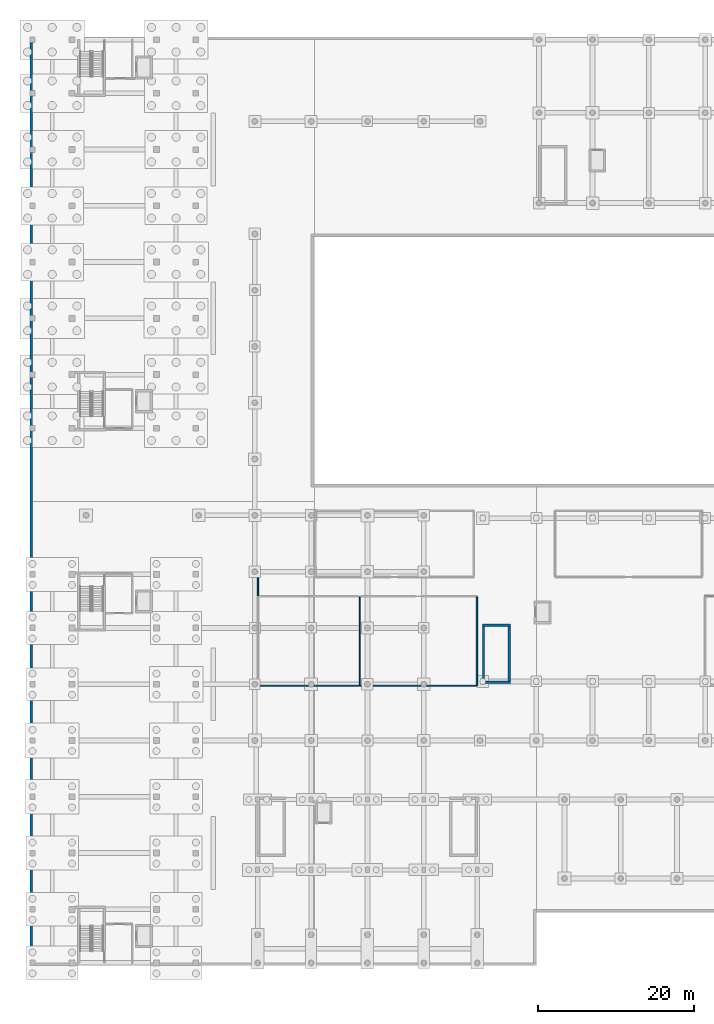
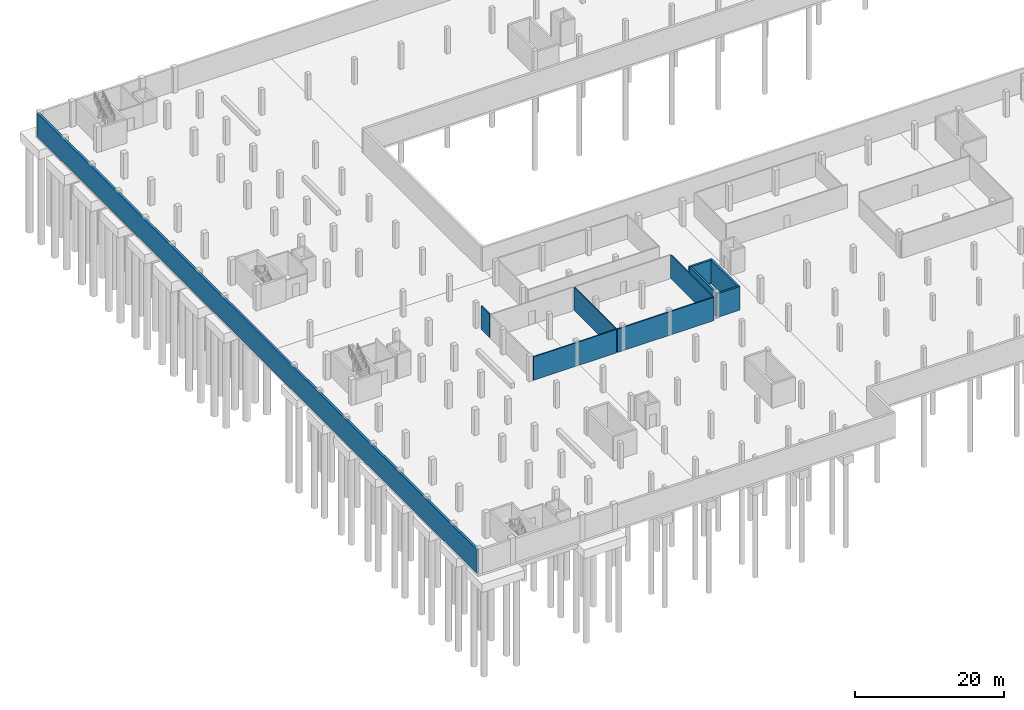
# One storey, part 18 of 36: 10 walls.
"""IFC4 building model written with IfcOpenShell, lengths in metres."""

from ifc_helpers import new_model, si_unit, derived_unit, direction, frame, frame_2d, origin, place, context, subcontext, project, spatial, rectangle, extrude, material, layer, layer_set, type_object, element, save


model = new_model("IFC4")

# Units and contexts
model_context = context("Model", 3, precision=1e-05, world=origin(), true_north=direction((0.0, 1.0)))
body_context = subcontext(model_context, "Body", "Model", "MODEL_VIEW")
ifc_project = project(units=[si_unit("LENGTHUNIT", "METRE"), si_unit("AREAUNIT", "SQUARE_METRE"), si_unit("VOLUMEUNIT", "CUBIC_METRE"), si_unit("PLANEANGLEUNIT", "RADIAN"), si_unit("MASSUNIT", "GRAM", prefix="KILO"), derived_unit("THERMALTRANSMITTANCEUNIT", [(si_unit("MASSUNIT", "GRAM", prefix="KILO"), 1), (si_unit("TIMEUNIT", "SECOND"), -3), (si_unit("THERMODYNAMICTEMPERATUREUNIT", "KELVIN"), -1)])], contexts=[model_context])

# Site, building, storey
site_placement = place(None, origin())
site = spatial("IfcSite", under=ifc_project, at=site_placement, CompositionType="ELEMENT")
building_placement = place(site_placement, origin())
building = spatial("IfcBuilding", under=site, at=building_placement, Name="Ochrekiln Boulevard Commons", CompositionType="ELEMENT")
storey_placement = place(building_placement, frame((0.0, 0.0, -4.199951171875)))
storey = spatial("IfcBuildingStorey", under=building, at=storey_placement, Name="B1", CompositionType="ELEMENT", Elevation=-4.199951171875)

# Walls
ifc_material_1 = material(Name="Concrete C35/45", Category="concrete")
ifc_layer_1 = layer(ifc_material_1, 0.35009765625)
ifc_layer_set_1 = layer_set([ifc_layer_1], Name="Concrete C35/45")
wall_type_1 = type_object("IfcWallType", Name="WL-B1-RET-350", PredefinedType="SOLIDWALL", material=ifc_layer_set_1)
wall_1_placement = place(storey_placement, frame((0.175048828125, 0.35009765625, 0.0), z_axis=(0.0, 0.0, 1.0), x_axis=(0.0, 1.0, 0.0)))
element("IfcWall", 1, at=wall_1_placement, inside=storey, type_object=wall_type_1, Name="B1 Perimeter Retaining Wall B1-W", PredefinedType="SOLIDWALL", context=body_context, shape_type="SweptSolid", body=[
    extrude(rectangle(XDim=118.099853515625, YDim=0.35009765625, at=frame_2d((59.0498046875, 0.0))), origin(), (0.0, 0.0, 1.0), 3.919921875),
])
ifc_material_2 = material(Name="Fire-rated Type X gypsum board on steel studs", Category="steel")
ifc_layer_2 = layer(ifc_material_2, 0.139892578125)
ifc_layer_set_2 = layer_set([ifc_layer_2], Name="Fire-rated Type X gypsum board on steel studs")
wall_type_2 = type_object("IfcWallType", Name="WL-PT-ACO-140", PredefinedType="PARTITIONING", material=ifc_layer_set_2)
wall_2_placement = place(storey_placement, frame((42.199951171875, 35.800048828125, 0.0), z_axis=(0.0, 0.0, 1.0), x_axis=(0.0, 1.0, 0.0)))
element("IfcWall", 2, at=wall_2_placement, inside=storey, type_object=wall_type_2, Name="B1 Interior Wall W-PA140", PredefinedType="PARTITIONING", context=body_context, shape_type="SweptSolid", body=[
    extrude(rectangle(XDim=11.366943359375, YDim=0.139892578125, at=frame_2d((5.68359375, 0.0))), origin(), (0.0, 0.0, 1.0), 3.83984375),
])
ifc_layer_3 = layer(ifc_material_2, 0.169921875)
ifc_layer_set_3 = layer_set([ifc_layer_3], Name="Fire-rated Type X gypsum board on steel studs")
wall_type_3 = type_object("IfcWallType", Name="WL-PT-CIV-170", PredefinedType="PARTITIONING", material=ifc_layer_set_3)
wall_3_placement = place(storey_placement, frame((29.199951171875, 47.3330078125, 0.0), z_axis=(0.0, 0.0, 1.0), x_axis=(0.0, 1.0, 0.0)))
element("IfcWall", 3, at=wall_3_placement, inside=storey, type_object=wall_type_3, Name="B1 Interior Wall W-PV170", PredefinedType="PARTITIONING", context=body_context, shape_type="SweptSolid", body=[
    extrude(rectangle(XDim=2.26708984375, YDim=0.169921875, at=frame_2d((1.133544921875, 0.0))), origin(), (0.0, 0.0, 1.0), 3.83984375),
])
wall_4_placement = place(storey_placement, frame((29.199951171875, 35.800048828125, 0.0), z_axis=(0.0, 0.0, 1.0), x_axis=(1.0, 0.0, 0.0)))
element("IfcWall", 4, at=wall_4_placement, inside=storey, type_object=wall_type_3, Name="B1 Interior Wall W-PV170", PredefinedType="PARTITIONING", context=body_context, shape_type="SweptSolid", body=[
    extrude(rectangle(XDim=12.929931640625, YDim=0.169921875, at=frame_2d((6.46484375, 0.0))), origin(), (0.0, 0.0, 1.0), 3.83984375),
])
wall_5_placement = place(storey_placement, frame((42.27001953125, 35.800048828125, 0.0), z_axis=(0.0, 0.0, 1.0), x_axis=(1.0, 0.0, 0.0)))
element("IfcWall", 5, at=wall_5_placement, inside=storey, type_object=wall_type_3, Name="B1 Interior Wall W-PV170", PredefinedType="PARTITIONING", context=body_context, shape_type="SweptSolid", body=[
    extrude(rectangle(XDim=14.929931640625, YDim=0.169921875, at=frame_2d((7.46484375, 0.0))), origin(), (0.0, 0.0, 1.0), 3.83984375),
])
wall_6_placement = place(storey_placement, frame((57.199951171875, 35.800048828125, 0.0), z_axis=(0.0, 0.0, 1.0), x_axis=(0.0, 1.0, 0.0)))
element("IfcWall", 6, at=wall_6_placement, inside=storey, type_object=wall_type_3, Name="B1 Interior Wall W-PV170", PredefinedType="PARTITIONING", context=body_context, shape_type="SweptSolid", body=[
    extrude(rectangle(XDim=11.366943359375, YDim=0.169921875, at=frame_2d((5.68359375, 0.0))), origin(), (0.0, 0.0, 1.0), 3.83984375),
])
ifc_material_3 = material(Name="Concrete C40/50", Category="concrete")
ifc_layer_4 = layer(ifc_material_3, 0.300048828125)
ifc_layer_set_4 = layer_set([ifc_layer_4], Name="Concrete C40/50")
wall_type_4 = type_object("IfcWallType", Name="WL-SH-300", PredefinedType="SHEAR", material=ifc_layer_set_4)
for number, where, z_axis, x_axis, name in (
    (7, (57.89990234375, 36.25, 0.0), (0.0, 0.0, 1.0), (1.0, 0.0, 0.0), "Stair ST-H1 B1 Core Shear Wall S"),
    (8, (57.89990234375, 43.550048828125, 0.0), (0.0, 0.0, 1.0), (1.0, 0.0, 0.0), "Stair ST-H1 B1 Core Shear Wall N"),
):
    element("IfcWall", number, at=place(storey_placement, frame(where, z_axis=z_axis, x_axis=x_axis)), inside=storey, type_object=wall_type_4, Name=name, PredefinedType="SHEAR", context=body_context, shape_type="SweptSolid", body=[
        extrude(rectangle(XDim=3.60009765625, YDim=0.300048828125, at=frame_2d((1.800048828125, 0.0))), origin(), (0.0, 0.0, 1.0), 3.8798828125),
    ])
for number, where, z_axis, x_axis, name in (
    (9, (58.050048828125, 36.39990234375, 0.0), (0.0, 0.0, 1.0), (0.0, 1.0, 0.0), "Stair ST-H1 B1 Core Shear Wall W"),
    (10, (61.35009765625, 36.39990234375, 0.0), (0.0, 0.0, 1.0), (0.0, 1.0, 0.0), "Stair ST-H1 B1 Core Shear Wall E"),
):
    element("IfcWall", number, at=place(storey_placement, frame(where, z_axis=z_axis, x_axis=x_axis)), inside=storey, type_object=wall_type_4, Name=name, PredefinedType="SHEAR", context=body_context, shape_type="SweptSolid", body=[
        extrude(rectangle(XDim=7.0, YDim=0.300048828125, at=frame_2d((3.5, 0.0))), origin(), (0.0, 0.0, 1.0), 3.8798828125),
    ])

save(model, "model.ifc")
